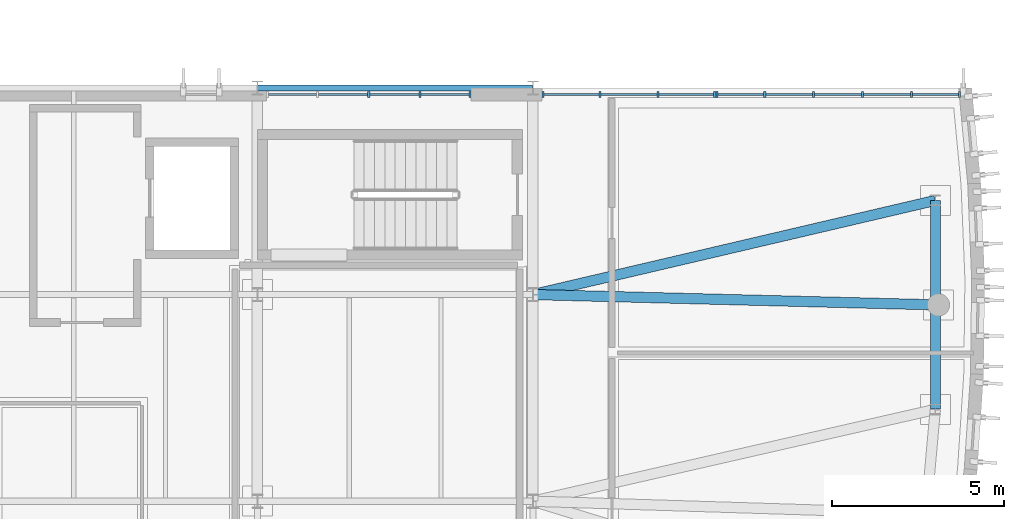
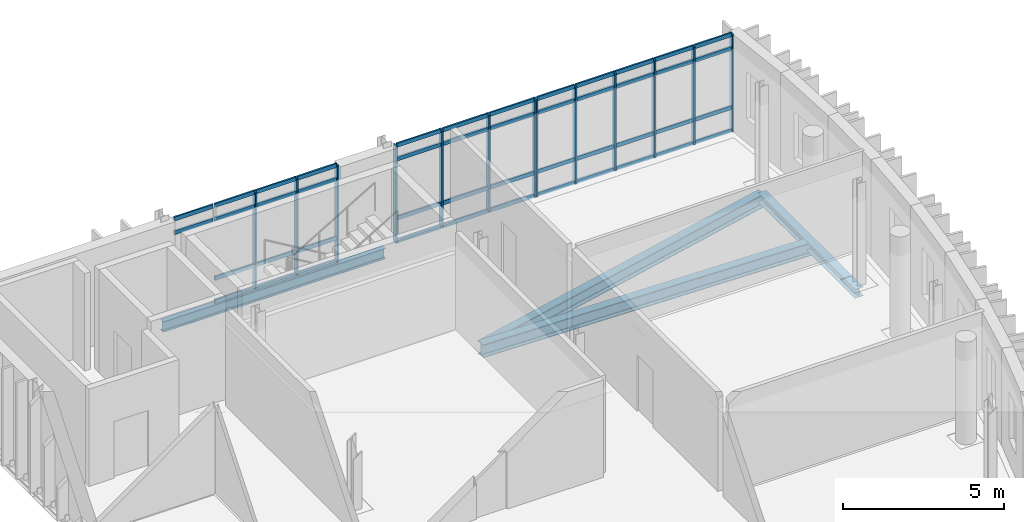
# One storey, part 4 of 14: 59 members, 4 beams, 3 elements without a shape of their own.
"""IFC4 building model written with IfcOpenShell, lengths in metres."""

from ifc_helpers import new_model, si_unit, direction, frame, origin, origin_2d, place, context, subcontext, project, spatial, rectangle, i_section, extrude, material, material_profile, profile_set, type_object, element, aggregate, save


model = new_model("IFC4")

# Units and contexts
model_context = context("Model", 3, precision=1e-05, world=origin(), true_north=direction((0.0, 1.0)))
body_context = subcontext(model_context, "Body", "Model", "MODEL_VIEW")
ifc_project = project(units=[si_unit("LENGTHUNIT", "METRE"), si_unit("AREAUNIT", "SQUARE_METRE"), si_unit("VOLUMEUNIT", "CUBIC_METRE"), si_unit("PLANEANGLEUNIT", "RADIAN"), si_unit("MASSUNIT", "GRAM", prefix="KILO")], contexts=[model_context])

# Site, building, storey
site_placement = place(None, origin())
site = spatial("IfcSite", under=ifc_project, at=site_placement, CompositionType="ELEMENT")
building_placement = place(site_placement, origin())
building = spatial("IfcBuilding", under=site, at=building_placement, Name="Cymarion Research Institute", CompositionType="ELEMENT")
storey_placement = place(building_placement, frame((0.0, 0.0, 34.5)))
storey = spatial("IfcBuildingStorey", under=building, at=storey_placement, Name="L08", CompositionType="ELEMENT", Elevation=34.5)

# Curtain wall, members
ifc_material_1 = material(Name="Anodised aluminium unitised curtain wall with Low-E glazing", Category="aluminium")
curtain_wall_type_1 = type_object("IfcCurtainWallType", Name="UNITISED CURTAIN WALL CW67 7100X3700", PredefinedType="NOTDEFINED", material=ifc_material_1)
curtain_wall_1_placement = place(storey_placement, origin())
curtain_wall_1 = element("IfcCurtainWall", 1, at=curtain_wall_1_placement, inside=storey, type_object=curtain_wall_type_1, Name="L08 V1 unitised curtain wall CW67 #245", PredefinedType="NOTDEFINED")
ifc_material_2 = material(Name="Anodised aluminium framing", Category="aluminium")
ifc_material_profile_1 = material_profile(ifc_material_2, rectangle(XDim=0.06005859375, YDim=0.179931640625, at=origin_2d()), Name="ALU MULLION 60x180")
ifc_profile_set_1 = profile_set([ifc_material_profile_1], Name="Anodised aluminium framing")
member_type_1 = type_object("IfcMemberType", Name="CURTAIN WALL MULLION ML01 60X180", PredefinedType="MULLION", material=ifc_profile_set_1)
member_1_placement = place(storey_placement, frame((166.98583984375, 29.31005859375, 0.0), z_axis=(0.0, 0.0, 1.0), x_axis=(-1.0, 0.0, 0.0)))
member_1 = element("IfcMember", 2, at=member_1_placement, type_object=member_type_1, Name="CW67 mullion 1", PredefinedType="MULLION", context=body_context, shape_type="SweptSolid", body=[
    extrude(rectangle(XDim=0.06005859375, YDim=0.179931640625, at=origin_2d()), origin(), (0.0, 0.0, 1.0), 3.699951171875),
])
member_2_placement = place(storey_placement, frame((165.59521484375, 29.31005859375, 0.0), z_axis=(0.0, 0.0, 1.0), x_axis=(-1.0, 0.0, 0.0)))
member_2 = element("IfcMember", 3, at=member_2_placement, type_object=member_type_1, Name="CW67 mullion 2", PredefinedType="MULLION", context=body_context, shape_type="SweptSolid", body=[
    extrude(rectangle(XDim=0.06005859375, YDim=0.179931640625, at=origin_2d()), origin(), (0.0, 0.0, 1.0), 3.699951171875),
])
member_3_placement = place(storey_placement, frame((164.17431640625, 29.31005859375, 0.0), z_axis=(0.0, 0.0, 1.0), x_axis=(-1.0, 0.0, 0.0)))
member_3 = element("IfcMember", 4, at=member_3_placement, type_object=member_type_1, Name="CW67 mullion 3", PredefinedType="MULLION", context=body_context, shape_type="SweptSolid", body=[
    extrude(rectangle(XDim=0.06005859375, YDim=0.179931640625, at=origin_2d()), origin(), (0.0, 0.0, 1.0), 3.699951171875),
])
member_4_placement = place(storey_placement, frame((162.75341796875, 29.31005859375, 0.0), z_axis=(0.0, 0.0, 1.0), x_axis=(-1.0, 0.0, 0.0)))
member_4 = element("IfcMember", 5, at=member_4_placement, type_object=member_type_1, Name="CW67 mullion 4", PredefinedType="MULLION", context=body_context, shape_type="SweptSolid", body=[
    extrude(rectangle(XDim=0.06005859375, YDim=0.179931640625, at=origin_2d()), origin(), (0.0, 0.0, 1.0), 3.699951171875),
])
member_5_placement = place(storey_placement, frame((161.332763671875, 29.31005859375, 0.0), z_axis=(0.0, 0.0, 1.0), x_axis=(-1.0, 0.0, 0.0)))
member_5 = element("IfcMember", 6, at=member_5_placement, type_object=member_type_1, Name="CW67 mullion 5", PredefinedType="MULLION", context=body_context, shape_type="SweptSolid", body=[
    extrude(rectangle(XDim=0.06005859375, YDim=0.179931640625, at=origin_2d()), origin(), (0.0, 0.0, 1.0), 3.699951171875),
])
member_6_placement = place(storey_placement, frame((159.94189453125, 29.31005859375, 0.0), z_axis=(0.0, 0.0, 1.0), x_axis=(-1.0, 0.0, 0.0)))
member_6 = element("IfcMember", 7, at=member_6_placement, type_object=member_type_1, Name="CW67 mullion 6", PredefinedType="MULLION", context=body_context, shape_type="SweptSolid", body=[
    extrude(rectangle(XDim=0.06005859375, YDim=0.179931640625, at=origin_2d()), origin(), (0.0, 0.0, 1.0), 3.699951171875),
])

curtain_wall_type_2 = type_object("IfcCurtainWallType", Name="UNITISED CURTAIN WALL CW68 5050X3700", PredefinedType="NOTDEFINED", material=ifc_material_1)
curtain_wall_2_placement = place(storey_placement, origin())
curtain_wall_2 = element("IfcCurtainWall", 8, at=curtain_wall_2_placement, inside=storey, type_object=curtain_wall_type_2, Name="L08 V1 unitised curtain wall CW68 #246", PredefinedType="NOTDEFINED")
member_7_placement = place(storey_placement, frame((159.8818359375, 29.31005859375, 0.0), z_axis=(0.0, 0.0, 1.0), x_axis=(-1.0, 0.0, 0.0)))
member_7 = element("IfcMember", 9, at=member_7_placement, type_object=member_type_1, Name="CW68 mullion 1", PredefinedType="MULLION", context=body_context, shape_type="SweptSolid", body=[
    extrude(rectangle(XDim=0.06005859375, YDim=0.179931640625, at=origin_2d()), origin(), (0.0, 0.0, 1.0), 3.699951171875),
])
member_8_placement = place(storey_placement, frame((158.22802734375, 29.31005859375, 0.0), z_axis=(0.0, 0.0, 1.0), x_axis=(-1.0, 0.0, 0.0)))
member_8 = element("IfcMember", 10, at=member_8_placement, type_object=member_type_1, Name="CW68 mullion 2", PredefinedType="MULLION", context=body_context, shape_type="SweptSolid", body=[
    extrude(rectangle(XDim=0.06005859375, YDim=0.179931640625, at=origin_2d()), origin(), (0.0, 0.0, 1.0), 3.699951171875),
])
member_9_placement = place(storey_placement, frame((156.5439453125, 29.31005859375, 0.0), z_axis=(0.0, 0.0, 1.0), x_axis=(-1.0, 0.0, 0.0)))
member_9 = element("IfcMember", 11, at=member_9_placement, type_object=member_type_1, Name="CW68 mullion 3", PredefinedType="MULLION", context=body_context, shape_type="SweptSolid", body=[
    extrude(rectangle(XDim=0.06005859375, YDim=0.179931640625, at=origin_2d()), origin(), (0.0, 0.0, 1.0), 3.699951171875),
])
member_10_placement = place(storey_placement, frame((154.889892578125, 29.31005859375, 0.0), z_axis=(0.0, 0.0, 1.0), x_axis=(-1.0, 0.0, 0.0)))
member_10 = element("IfcMember", 12, at=member_10_placement, type_object=member_type_1, Name="CW68 mullion 4", PredefinedType="MULLION", context=body_context, shape_type="SweptSolid", body=[
    extrude(rectangle(XDim=0.06005859375, YDim=0.179931640625, at=origin_2d()), origin(), (0.0, 0.0, 1.0), 3.699951171875),
])

curtain_wall_type_3 = type_object("IfcCurtainWallType", Name="UNITISED CURTAIN WALL CW69 5950X3700", PredefinedType="NOTDEFINED", material=ifc_material_1)
curtain_wall_3_placement = place(storey_placement, origin())
curtain_wall_3 = element("IfcCurtainWall", 13, at=curtain_wall_3_placement, inside=storey, type_object=curtain_wall_type_3, Name="L08 V1 unitised curtain wall CW69 #247", PredefinedType="NOTDEFINED")
member_11_placement = place(storey_placement, frame((152.77783203125, 29.31005859375, 0.0), z_axis=(0.0, 0.0, 1.0), x_axis=(-1.0, 0.0, 0.0)))
member_11 = element("IfcMember", 14, at=member_11_placement, type_object=member_type_1, Name="CW69 mullion 1", PredefinedType="MULLION", context=body_context, shape_type="SweptSolid", body=[
    extrude(rectangle(XDim=0.06005859375, YDim=0.179931640625, at=origin_2d()), origin(), (0.0, 0.0, 1.0), 3.699951171875),
])
member_12_placement = place(storey_placement, frame((151.321044921875, 29.31005859375, 0.0), z_axis=(0.0, 0.0, 1.0), x_axis=(-1.0, 0.0, 0.0)))
member_12 = element("IfcMember", 15, at=member_12_placement, type_object=member_type_1, Name="CW69 mullion 2", PredefinedType="MULLION", context=body_context, shape_type="SweptSolid", body=[
    extrude(rectangle(XDim=0.06005859375, YDim=0.179931640625, at=origin_2d()), origin(), (0.0, 0.0, 1.0), 3.699951171875),
])
member_13_placement = place(storey_placement, frame((149.833984375, 29.31005859375, 0.0), z_axis=(0.0, 0.0, 1.0), x_axis=(-1.0, 0.0, 0.0)))
member_13 = element("IfcMember", 16, at=member_13_placement, type_object=member_type_1, Name="CW69 mullion 3", PredefinedType="MULLION", context=body_context, shape_type="SweptSolid", body=[
    extrude(rectangle(XDim=0.06005859375, YDim=0.179931640625, at=origin_2d()), origin(), (0.0, 0.0, 1.0), 3.699951171875),
])

# Member
ifc_material_profile_2 = material_profile(ifc_material_2, rectangle(XDim=0.06005859375, YDim=0.14990234375, at=origin_2d()), Name="ALU TRANSOM 60x150")
ifc_profile_set_2 = profile_set([ifc_material_profile_2], Name="Anodised aluminium framing")
member_type_2 = type_object("IfcMemberType", Name="CURTAIN WALL TRANSOM TR01 60X150", PredefinedType="USERDEFINED", material=ifc_profile_set_2)
member_14_placement = place(storey_placement, frame((166.955810546875, 29.31005859375, 0.030029296875), z_axis=(-1.0, 0.0, 0.0), x_axis=(0.0, -1.0, 0.0)))
member_14 = element("IfcMember", 17, at=member_14_placement, type_object=member_type_2, Name="CW67 transom 1.1", ObjectType="TRANSOM", PredefinedType="USERDEFINED", context=body_context, shape_type="SweptSolid", body=[
    extrude(rectangle(XDim=0.06005859375, YDim=0.14990234375, at=origin_2d()), origin(), (0.0, 0.0, 1.0), 1.330810546875),
])

member_15_placement = place(storey_placement, frame((166.955810546875, 29.31005859375, 0.89990234375), z_axis=(-1.0, 0.0, 0.0), x_axis=(0.0, -1.0, 0.0)))
member_15 = element("IfcMember", 18, at=member_15_placement, type_object=member_type_2, Name="CW67 transom 1.2", ObjectType="TRANSOM", PredefinedType="USERDEFINED", context=body_context, shape_type="SweptSolid", body=[
    extrude(rectangle(XDim=0.06005859375, YDim=0.14990234375, at=origin_2d()), origin(), (0.0, 0.0, 1.0), 1.330810546875),
])

member_16_placement = place(storey_placement, frame((166.955810546875, 29.31005859375, 3.14990234375), z_axis=(-1.0, 0.0, 0.0), x_axis=(0.0, -1.0, 0.0)))
member_16 = element("IfcMember", 19, at=member_16_placement, type_object=member_type_2, Name="CW67 transom 1.3", ObjectType="TRANSOM", PredefinedType="USERDEFINED", context=body_context, shape_type="SweptSolid", body=[
    extrude(rectangle(XDim=0.06005859375, YDim=0.14990234375, at=origin_2d()), origin(), (0.0, 0.0, 1.0), 1.330810546875),
])

member_17_placement = place(storey_placement, frame((166.955810546875, 29.31005859375, 3.669921875), z_axis=(-1.0, 0.0, 0.0), x_axis=(0.0, -1.0, 0.0)))
member_17 = element("IfcMember", 20, at=member_17_placement, type_object=member_type_2, Name="CW67 transom 1.4", ObjectType="TRANSOM", PredefinedType="USERDEFINED", context=body_context, shape_type="SweptSolid", body=[
    extrude(rectangle(XDim=0.06005859375, YDim=0.14990234375, at=origin_2d()), origin(), (0.0, 0.0, 1.0), 1.330810546875),
])

member_18_placement = place(storey_placement, frame((165.565185546875, 29.31005859375, 0.030029296875), z_axis=(-1.0, 0.0, 0.0), x_axis=(0.0, -1.0, 0.0)))
member_18 = element("IfcMember", 21, at=member_18_placement, type_object=member_type_2, Name="CW67 transom 2.1", ObjectType="TRANSOM", PredefinedType="USERDEFINED", context=body_context, shape_type="SweptSolid", body=[
    extrude(rectangle(XDim=0.06005859375, YDim=0.14990234375, at=origin_2d()), origin(), (0.0, 0.0, 1.0), 1.36083984375),
])

member_19_placement = place(storey_placement, frame((165.565185546875, 29.31005859375, 0.89990234375), z_axis=(-1.0, 0.0, 0.0), x_axis=(0.0, -1.0, 0.0)))
member_19 = element("IfcMember", 22, at=member_19_placement, type_object=member_type_2, Name="CW67 transom 2.2", ObjectType="TRANSOM", PredefinedType="USERDEFINED", context=body_context, shape_type="SweptSolid", body=[
    extrude(rectangle(XDim=0.06005859375, YDim=0.14990234375, at=origin_2d()), origin(), (0.0, 0.0, 1.0), 1.36083984375),
])

member_20_placement = place(storey_placement, frame((165.565185546875, 29.31005859375, 3.14990234375), z_axis=(-1.0, 0.0, 0.0), x_axis=(0.0, -1.0, 0.0)))
member_20 = element("IfcMember", 23, at=member_20_placement, type_object=member_type_2, Name="CW67 transom 2.3", ObjectType="TRANSOM", PredefinedType="USERDEFINED", context=body_context, shape_type="SweptSolid", body=[
    extrude(rectangle(XDim=0.06005859375, YDim=0.14990234375, at=origin_2d()), origin(), (0.0, 0.0, 1.0), 1.36083984375),
])

member_21_placement = place(storey_placement, frame((165.565185546875, 29.31005859375, 3.669921875), z_axis=(-1.0, 0.0, 0.0), x_axis=(0.0, -1.0, 0.0)))
member_21 = element("IfcMember", 24, at=member_21_placement, type_object=member_type_2, Name="CW67 transom 2.4", ObjectType="TRANSOM", PredefinedType="USERDEFINED", context=body_context, shape_type="SweptSolid", body=[
    extrude(rectangle(XDim=0.06005859375, YDim=0.14990234375, at=origin_2d()), origin(), (0.0, 0.0, 1.0), 1.36083984375),
])

member_22_placement = place(storey_placement, frame((164.144287109375, 29.31005859375, 0.030029296875), z_axis=(-1.0, 0.0, 0.0), x_axis=(0.0, -1.0, 0.0)))
member_22 = element("IfcMember", 25, at=member_22_placement, type_object=member_type_2, Name="CW67 transom 3.1", ObjectType="TRANSOM", PredefinedType="USERDEFINED", context=body_context, shape_type="SweptSolid", body=[
    extrude(rectangle(XDim=0.06005859375, YDim=0.14990234375, at=origin_2d()), origin(), (0.0, 0.0, 1.0), 1.36083984375),
])

member_23_placement = place(storey_placement, frame((164.144287109375, 29.31005859375, 0.89990234375), z_axis=(-1.0, 0.0, 0.0), x_axis=(0.0, -1.0, 0.0)))
member_23 = element("IfcMember", 26, at=member_23_placement, type_object=member_type_2, Name="CW67 transom 3.2", ObjectType="TRANSOM", PredefinedType="USERDEFINED", context=body_context, shape_type="SweptSolid", body=[
    extrude(rectangle(XDim=0.06005859375, YDim=0.14990234375, at=origin_2d()), origin(), (0.0, 0.0, 1.0), 1.36083984375),
])

member_24_placement = place(storey_placement, frame((164.144287109375, 29.31005859375, 3.14990234375), z_axis=(-1.0, 0.0, 0.0), x_axis=(0.0, -1.0, 0.0)))
member_24 = element("IfcMember", 27, at=member_24_placement, type_object=member_type_2, Name="CW67 transom 3.3", ObjectType="TRANSOM", PredefinedType="USERDEFINED", context=body_context, shape_type="SweptSolid", body=[
    extrude(rectangle(XDim=0.06005859375, YDim=0.14990234375, at=origin_2d()), origin(), (0.0, 0.0, 1.0), 1.36083984375),
])

member_25_placement = place(storey_placement, frame((164.144287109375, 29.31005859375, 3.669921875), z_axis=(-1.0, 0.0, 0.0), x_axis=(0.0, -1.0, 0.0)))
member_25 = element("IfcMember", 28, at=member_25_placement, type_object=member_type_2, Name="CW67 transom 3.4", ObjectType="TRANSOM", PredefinedType="USERDEFINED", context=body_context, shape_type="SweptSolid", body=[
    extrude(rectangle(XDim=0.06005859375, YDim=0.14990234375, at=origin_2d()), origin(), (0.0, 0.0, 1.0), 1.36083984375),
])

member_26_placement = place(storey_placement, frame((162.723388671875, 29.31005859375, 0.030029296875), z_axis=(-1.0, 0.0, 0.0), x_axis=(0.0, -1.0, 0.0)))
member_26 = element("IfcMember", 29, at=member_26_placement, type_object=member_type_2, Name="CW67 transom 4.1", ObjectType="TRANSOM", PredefinedType="USERDEFINED", context=body_context, shape_type="SweptSolid", body=[
    extrude(rectangle(XDim=0.06005859375, YDim=0.14990234375, at=origin_2d()), origin(), (0.0, 0.0, 1.0), 1.360595703125),
])

member_27_placement = place(storey_placement, frame((162.723388671875, 29.31005859375, 0.89990234375), z_axis=(-1.0, 0.0, 0.0), x_axis=(0.0, -1.0, 0.0)))
member_27 = element("IfcMember", 30, at=member_27_placement, type_object=member_type_2, Name="CW67 transom 4.2", ObjectType="TRANSOM", PredefinedType="USERDEFINED", context=body_context, shape_type="SweptSolid", body=[
    extrude(rectangle(XDim=0.06005859375, YDim=0.14990234375, at=origin_2d()), origin(), (0.0, 0.0, 1.0), 1.360595703125),
])

member_28_placement = place(storey_placement, frame((162.723388671875, 29.31005859375, 3.14990234375), z_axis=(-1.0, 0.0, 0.0), x_axis=(0.0, -1.0, 0.0)))
member_28 = element("IfcMember", 31, at=member_28_placement, type_object=member_type_2, Name="CW67 transom 4.3", ObjectType="TRANSOM", PredefinedType="USERDEFINED", context=body_context, shape_type="SweptSolid", body=[
    extrude(rectangle(XDim=0.06005859375, YDim=0.14990234375, at=origin_2d()), origin(), (0.0, 0.0, 1.0), 1.360595703125),
])

member_29_placement = place(storey_placement, frame((162.723388671875, 29.31005859375, 3.669921875), z_axis=(-1.0, 0.0, 0.0), x_axis=(0.0, -1.0, 0.0)))
member_29 = element("IfcMember", 32, at=member_29_placement, type_object=member_type_2, Name="CW67 transom 4.4", ObjectType="TRANSOM", PredefinedType="USERDEFINED", context=body_context, shape_type="SweptSolid", body=[
    extrude(rectangle(XDim=0.06005859375, YDim=0.14990234375, at=origin_2d()), origin(), (0.0, 0.0, 1.0), 1.360595703125),
])

member_30_placement = place(storey_placement, frame((161.302734375, 29.31005859375, 0.030029296875), z_axis=(-1.0, 0.0, 0.0), x_axis=(0.0, -1.0, 0.0)))
member_30 = element("IfcMember", 33, at=member_30_placement, type_object=member_type_2, Name="CW67 transom 5.1", ObjectType="TRANSOM", PredefinedType="USERDEFINED", context=body_context, shape_type="SweptSolid", body=[
    extrude(rectangle(XDim=0.06005859375, YDim=0.14990234375, at=origin_2d()), origin(), (0.0, 0.0, 1.0), 1.330810546875),
])

member_31_placement = place(storey_placement, frame((161.302734375, 29.31005859375, 0.89990234375), z_axis=(-1.0, 0.0, 0.0), x_axis=(0.0, -1.0, 0.0)))
member_31 = element("IfcMember", 34, at=member_31_placement, type_object=member_type_2, Name="CW67 transom 5.2", ObjectType="TRANSOM", PredefinedType="USERDEFINED", context=body_context, shape_type="SweptSolid", body=[
    extrude(rectangle(XDim=0.06005859375, YDim=0.14990234375, at=origin_2d()), origin(), (0.0, 0.0, 1.0), 1.330810546875),
])

member_32_placement = place(storey_placement, frame((161.302734375, 29.31005859375, 3.14990234375), z_axis=(-1.0, 0.0, 0.0), x_axis=(0.0, -1.0, 0.0)))
member_32 = element("IfcMember", 35, at=member_32_placement, type_object=member_type_2, Name="CW67 transom 5.3", ObjectType="TRANSOM", PredefinedType="USERDEFINED", context=body_context, shape_type="SweptSolid", body=[
    extrude(rectangle(XDim=0.06005859375, YDim=0.14990234375, at=origin_2d()), origin(), (0.0, 0.0, 1.0), 1.330810546875),
])

member_33_placement = place(storey_placement, frame((161.302734375, 29.31005859375, 3.669921875), z_axis=(-1.0, 0.0, 0.0), x_axis=(0.0, -1.0, 0.0)))
member_33 = element("IfcMember", 36, at=member_33_placement, type_object=member_type_2, Name="CW67 transom 5.4", ObjectType="TRANSOM", PredefinedType="USERDEFINED", context=body_context, shape_type="SweptSolid", body=[
    extrude(rectangle(XDim=0.06005859375, YDim=0.14990234375, at=origin_2d()), origin(), (0.0, 0.0, 1.0), 1.330810546875),
])

aggregate(curtain_wall_1, [member_1, member_2, member_3, member_4, member_5, member_6, member_14, member_15, member_16, member_17, member_18, member_19, member_20, member_21, member_22, member_23, member_24, member_25, member_26, member_27, member_28, member_29, member_30, member_31, member_32, member_33])

member_34_placement = place(storey_placement, frame((159.851806640625, 29.31005859375, 0.030029296875), z_axis=(-1.0, 0.0, 0.0), x_axis=(0.0, -1.0, 0.0)))
member_34 = element("IfcMember", 37, at=member_34_placement, type_object=member_type_2, Name="CW68 transom 1.1", ObjectType="TRANSOM", PredefinedType="USERDEFINED", context=body_context, shape_type="SweptSolid", body=[
    extrude(rectangle(XDim=0.06005859375, YDim=0.14990234375, at=origin_2d()), origin(), (0.0, 0.0, 1.0), 1.593994140625),
])

member_35_placement = place(storey_placement, frame((159.851806640625, 29.31005859375, 0.89990234375), z_axis=(-1.0, 0.0, 0.0), x_axis=(0.0, -1.0, 0.0)))
member_35 = element("IfcMember", 38, at=member_35_placement, type_object=member_type_2, Name="CW68 transom 1.2", ObjectType="TRANSOM", PredefinedType="USERDEFINED", context=body_context, shape_type="SweptSolid", body=[
    extrude(rectangle(XDim=0.06005859375, YDim=0.14990234375, at=origin_2d()), origin(), (0.0, 0.0, 1.0), 1.593994140625),
])

member_36_placement = place(storey_placement, frame((159.851806640625, 29.31005859375, 3.14990234375), z_axis=(-1.0, 0.0, 0.0), x_axis=(0.0, -1.0, 0.0)))
member_36 = element("IfcMember", 39, at=member_36_placement, type_object=member_type_2, Name="CW68 transom 1.3", ObjectType="TRANSOM", PredefinedType="USERDEFINED", context=body_context, shape_type="SweptSolid", body=[
    extrude(rectangle(XDim=0.06005859375, YDim=0.14990234375, at=origin_2d()), origin(), (0.0, 0.0, 1.0), 1.593994140625),
])

member_37_placement = place(storey_placement, frame((159.851806640625, 29.31005859375, 3.669921875), z_axis=(-1.0, 0.0, 0.0), x_axis=(0.0, -1.0, 0.0)))
member_37 = element("IfcMember", 40, at=member_37_placement, type_object=member_type_2, Name="CW68 transom 1.4", ObjectType="TRANSOM", PredefinedType="USERDEFINED", context=body_context, shape_type="SweptSolid", body=[
    extrude(rectangle(XDim=0.06005859375, YDim=0.14990234375, at=origin_2d()), origin(), (0.0, 0.0, 1.0), 1.593994140625),
])

member_38_placement = place(storey_placement, frame((158.197998046875, 29.31005859375, 0.030029296875), z_axis=(-1.0, 0.0, 0.0), x_axis=(0.0, -1.0, 0.0)))
member_38 = element("IfcMember", 41, at=member_38_placement, type_object=member_type_2, Name="CW68 transom 2.1", ObjectType="TRANSOM", PredefinedType="USERDEFINED", context=body_context, shape_type="SweptSolid", body=[
    extrude(rectangle(XDim=0.06005859375, YDim=0.14990234375, at=origin_2d()), origin(), (0.0, 0.0, 1.0), 1.6240234375),
])

member_39_placement = place(storey_placement, frame((158.197998046875, 29.31005859375, 0.89990234375), z_axis=(-1.0, 0.0, 0.0), x_axis=(0.0, -1.0, 0.0)))
member_39 = element("IfcMember", 42, at=member_39_placement, type_object=member_type_2, Name="CW68 transom 2.2", ObjectType="TRANSOM", PredefinedType="USERDEFINED", context=body_context, shape_type="SweptSolid", body=[
    extrude(rectangle(XDim=0.06005859375, YDim=0.14990234375, at=origin_2d()), origin(), (0.0, 0.0, 1.0), 1.6240234375),
])

member_40_placement = place(storey_placement, frame((158.197998046875, 29.31005859375, 3.14990234375), z_axis=(-1.0, 0.0, 0.0), x_axis=(0.0, -1.0, 0.0)))
member_40 = element("IfcMember", 43, at=member_40_placement, type_object=member_type_2, Name="CW68 transom 2.3", ObjectType="TRANSOM", PredefinedType="USERDEFINED", context=body_context, shape_type="SweptSolid", body=[
    extrude(rectangle(XDim=0.06005859375, YDim=0.14990234375, at=origin_2d()), origin(), (0.0, 0.0, 1.0), 1.6240234375),
])

member_41_placement = place(storey_placement, frame((158.197998046875, 29.31005859375, 3.669921875), z_axis=(-1.0, 0.0, 0.0), x_axis=(0.0, -1.0, 0.0)))
member_41 = element("IfcMember", 44, at=member_41_placement, type_object=member_type_2, Name="CW68 transom 2.4", ObjectType="TRANSOM", PredefinedType="USERDEFINED", context=body_context, shape_type="SweptSolid", body=[
    extrude(rectangle(XDim=0.06005859375, YDim=0.14990234375, at=origin_2d()), origin(), (0.0, 0.0, 1.0), 1.6240234375),
])

member_42_placement = place(storey_placement, frame((156.513916015625, 29.31005859375, 0.030029296875), z_axis=(-1.0, 0.0, 0.0), x_axis=(0.0, -1.0, 0.0)))
member_42 = element("IfcMember", 45, at=member_42_placement, type_object=member_type_2, Name="CW68 transom 3.1", ObjectType="TRANSOM", PredefinedType="USERDEFINED", context=body_context, shape_type="SweptSolid", body=[
    extrude(rectangle(XDim=0.06005859375, YDim=0.14990234375, at=origin_2d()), origin(), (0.0, 0.0, 1.0), 1.593994140625),
])

member_43_placement = place(storey_placement, frame((156.513916015625, 29.31005859375, 0.89990234375), z_axis=(-1.0, 0.0, 0.0), x_axis=(0.0, -1.0, 0.0)))
member_43 = element("IfcMember", 46, at=member_43_placement, type_object=member_type_2, Name="CW68 transom 3.2", ObjectType="TRANSOM", PredefinedType="USERDEFINED", context=body_context, shape_type="SweptSolid", body=[
    extrude(rectangle(XDim=0.06005859375, YDim=0.14990234375, at=origin_2d()), origin(), (0.0, 0.0, 1.0), 1.593994140625),
])

member_44_placement = place(storey_placement, frame((156.513916015625, 29.31005859375, 3.14990234375), z_axis=(-1.0, 0.0, 0.0), x_axis=(0.0, -1.0, 0.0)))
member_44 = element("IfcMember", 47, at=member_44_placement, type_object=member_type_2, Name="CW68 transom 3.3", ObjectType="TRANSOM", PredefinedType="USERDEFINED", context=body_context, shape_type="SweptSolid", body=[
    extrude(rectangle(XDim=0.06005859375, YDim=0.14990234375, at=origin_2d()), origin(), (0.0, 0.0, 1.0), 1.593994140625),
])

member_45_placement = place(storey_placement, frame((156.513916015625, 29.31005859375, 3.669921875), z_axis=(-1.0, 0.0, 0.0), x_axis=(0.0, -1.0, 0.0)))
member_45 = element("IfcMember", 48, at=member_45_placement, type_object=member_type_2, Name="CW68 transom 3.4", ObjectType="TRANSOM", PredefinedType="USERDEFINED", context=body_context, shape_type="SweptSolid", body=[
    extrude(rectangle(XDim=0.06005859375, YDim=0.14990234375, at=origin_2d()), origin(), (0.0, 0.0, 1.0), 1.593994140625),
])

aggregate(curtain_wall_2, [member_7, member_8, member_9, member_10, member_34, member_35, member_36, member_37, member_38, member_39, member_40, member_41, member_42, member_43, member_44, member_45])

member_46_placement = place(storey_placement, frame((152.747802734375, 29.31005859375, 0.030029296875), z_axis=(-1.0, 0.0, 0.0), x_axis=(0.0, -1.0, 0.0)))
member_46 = element("IfcMember", 49, at=member_46_placement, type_object=member_type_2, Name="CW69 transom 1.1", ObjectType="TRANSOM", PredefinedType="USERDEFINED", context=body_context, shape_type="SweptSolid", body=[
    extrude(rectangle(XDim=0.06005859375, YDim=0.14990234375, at=origin_2d()), origin(), (0.0, 0.0, 1.0), 1.39697265625),
])

member_47_placement = place(storey_placement, frame((152.747802734375, 29.31005859375, 0.89990234375), z_axis=(-1.0, 0.0, 0.0), x_axis=(0.0, -1.0, 0.0)))
member_47 = element("IfcMember", 50, at=member_47_placement, type_object=member_type_2, Name="CW69 transom 1.2", ObjectType="TRANSOM", PredefinedType="USERDEFINED", context=body_context, shape_type="SweptSolid", body=[
    extrude(rectangle(XDim=0.06005859375, YDim=0.14990234375, at=origin_2d()), origin(), (0.0, 0.0, 1.0), 1.39697265625),
])

member_48_placement = place(storey_placement, frame((152.747802734375, 29.31005859375, 3.14990234375), z_axis=(-1.0, 0.0, 0.0), x_axis=(0.0, -1.0, 0.0)))
member_48 = element("IfcMember", 51, at=member_48_placement, type_object=member_type_2, Name="CW69 transom 1.3", ObjectType="TRANSOM", PredefinedType="USERDEFINED", context=body_context, shape_type="SweptSolid", body=[
    extrude(rectangle(XDim=0.06005859375, YDim=0.14990234375, at=origin_2d()), origin(), (0.0, 0.0, 1.0), 1.39697265625),
])

member_49_placement = place(storey_placement, frame((152.747802734375, 29.31005859375, 3.669921875), z_axis=(-1.0, 0.0, 0.0), x_axis=(0.0, -1.0, 0.0)))
member_49 = element("IfcMember", 52, at=member_49_placement, type_object=member_type_2, Name="CW69 transom 1.4", ObjectType="TRANSOM", PredefinedType="USERDEFINED", context=body_context, shape_type="SweptSolid", body=[
    extrude(rectangle(XDim=0.06005859375, YDim=0.14990234375, at=origin_2d()), origin(), (0.0, 0.0, 1.0), 1.39697265625),
])

member_50_placement = place(storey_placement, frame((151.291015625, 29.31005859375, 0.030029296875), z_axis=(-1.0, 0.0, 0.0), x_axis=(0.0, -1.0, 0.0)))
member_50 = element("IfcMember", 53, at=member_50_placement, type_object=member_type_2, Name="CW69 transom 2.1", ObjectType="TRANSOM", PredefinedType="USERDEFINED", context=body_context, shape_type="SweptSolid", body=[
    extrude(rectangle(XDim=0.06005859375, YDim=0.14990234375, at=origin_2d()), origin(), (0.0, 0.0, 1.0), 1.427001953125),
])

member_51_placement = place(storey_placement, frame((151.291015625, 29.31005859375, 0.89990234375), z_axis=(-1.0, 0.0, 0.0), x_axis=(0.0, -1.0, 0.0)))
member_51 = element("IfcMember", 54, at=member_51_placement, type_object=member_type_2, Name="CW69 transom 2.2", ObjectType="TRANSOM", PredefinedType="USERDEFINED", context=body_context, shape_type="SweptSolid", body=[
    extrude(rectangle(XDim=0.06005859375, YDim=0.14990234375, at=origin_2d()), origin(), (0.0, 0.0, 1.0), 1.427001953125),
])

member_52_placement = place(storey_placement, frame((151.291015625, 29.31005859375, 3.14990234375), z_axis=(-1.0, 0.0, 0.0), x_axis=(0.0, -1.0, 0.0)))
member_52 = element("IfcMember", 55, at=member_52_placement, type_object=member_type_2, Name="CW69 transom 2.3", ObjectType="TRANSOM", PredefinedType="USERDEFINED", context=body_context, shape_type="SweptSolid", body=[
    extrude(rectangle(XDim=0.06005859375, YDim=0.14990234375, at=origin_2d()), origin(), (0.0, 0.0, 1.0), 1.427001953125),
])

member_53_placement = place(storey_placement, frame((151.291015625, 29.31005859375, 3.669921875), z_axis=(-1.0, 0.0, 0.0), x_axis=(0.0, -1.0, 0.0)))
member_53 = element("IfcMember", 56, at=member_53_placement, type_object=member_type_2, Name="CW69 transom 2.4", ObjectType="TRANSOM", PredefinedType="USERDEFINED", context=body_context, shape_type="SweptSolid", body=[
    extrude(rectangle(XDim=0.06005859375, YDim=0.14990234375, at=origin_2d()), origin(), (0.0, 0.0, 1.0), 1.427001953125),
])

member_54_placement = place(storey_placement, frame((149.803955078125, 29.31005859375, 0.030029296875), z_axis=(-1.0, 0.0, 0.0), x_axis=(0.0, -1.0, 0.0)))
member_54 = element("IfcMember", 57, at=member_54_placement, type_object=member_type_2, Name="CW69 transom 3.1", ObjectType="TRANSOM", PredefinedType="USERDEFINED", context=body_context, shape_type="SweptSolid", body=[
    extrude(rectangle(XDim=0.06005859375, YDim=0.14990234375, at=origin_2d()), origin(), (0.0, 0.0, 1.0), 1.427001953125),
])

member_55_placement = place(storey_placement, frame((149.803955078125, 29.31005859375, 0.89990234375), z_axis=(-1.0, 0.0, 0.0), x_axis=(0.0, -1.0, 0.0)))
member_55 = element("IfcMember", 58, at=member_55_placement, type_object=member_type_2, Name="CW69 transom 3.2", ObjectType="TRANSOM", PredefinedType="USERDEFINED", context=body_context, shape_type="SweptSolid", body=[
    extrude(rectangle(XDim=0.06005859375, YDim=0.14990234375, at=origin_2d()), origin(), (0.0, 0.0, 1.0), 1.427001953125),
])

member_56_placement = place(storey_placement, frame((149.803955078125, 29.31005859375, 3.14990234375), z_axis=(-1.0, 0.0, 0.0), x_axis=(0.0, -1.0, 0.0)))
member_56 = element("IfcMember", 59, at=member_56_placement, type_object=member_type_2, Name="CW69 transom 3.3", ObjectType="TRANSOM", PredefinedType="USERDEFINED", context=body_context, shape_type="SweptSolid", body=[
    extrude(rectangle(XDim=0.06005859375, YDim=0.14990234375, at=origin_2d()), origin(), (0.0, 0.0, 1.0), 1.427001953125),
])

member_57_placement = place(storey_placement, frame((149.803955078125, 29.31005859375, 3.669921875), z_axis=(-1.0, 0.0, 0.0), x_axis=(0.0, -1.0, 0.0)))
member_57 = element("IfcMember", 60, at=member_57_placement, type_object=member_type_2, Name="CW69 transom 3.4", ObjectType="TRANSOM", PredefinedType="USERDEFINED", context=body_context, shape_type="SweptSolid", body=[
    extrude(rectangle(XDim=0.06005859375, YDim=0.14990234375, at=origin_2d()), origin(), (0.0, 0.0, 1.0), 1.427001953125),
])

member_58_placement = place(storey_placement, frame((148.31689453125, 29.31005859375, 3.14990234375), z_axis=(-1.0, 0.0, 0.0), x_axis=(0.0, -1.0, 0.0)))
member_58 = element("IfcMember", 61, at=member_58_placement, type_object=member_type_2, Name="CW69 transom 4.3", ObjectType="TRANSOM", PredefinedType="USERDEFINED", context=body_context, shape_type="SweptSolid", body=[
    extrude(rectangle(XDim=0.06005859375, YDim=0.14990234375, at=origin_2d()), origin(), (0.0, 0.0, 1.0), 1.39697265625),
])

member_59_placement = place(storey_placement, frame((148.31689453125, 29.31005859375, 3.669921875), z_axis=(-1.0, 0.0, 0.0), x_axis=(0.0, -1.0, 0.0)))
member_59 = element("IfcMember", 62, at=member_59_placement, type_object=member_type_2, Name="CW69 transom 4.4", ObjectType="TRANSOM", PredefinedType="USERDEFINED", context=body_context, shape_type="SweptSolid", body=[
    extrude(rectangle(XDim=0.06005859375, YDim=0.14990234375, at=origin_2d()), origin(), (0.0, 0.0, 1.0), 1.39697265625),
])

aggregate(curtain_wall_3, [member_11, member_12, member_13, member_46, member_47, member_48, member_49, member_50, member_51, member_52, member_53, member_54, member_55, member_56, member_57, member_58, member_59])

# Beams
ifc_material_3 = material(Name="Steel S355", Category="steel")
ifc_material_profile_3 = material_profile(ifc_material_3, i_section(OverallWidth=0.179931640625, OverallDepth=0.39990234375, WebThickness=0.008544921875, FlangeThickness=0.013427734375, FilletRadius=0.02099609375, at=origin_2d()), Name="IPE 400")
ifc_profile_set_3 = profile_set([ifc_material_profile_3], Name="Steel S355")
beam_type_1 = type_object("IfcBeamType", Name="PRIMARY GIRDER BM05 IPE 400", PredefinedType="BEAM", material=ifc_profile_set_3)
beam_1_placement = place(storey_placement, frame((146.60595703125, 29.5, -0.39990234375), z_axis=(1.0, 0.0, 0.0), x_axis=(0.0, 1.0, 0.0)))
element("IfcBeam", 63, at=beam_1_placement, inside=storey, type_object=beam_type_1, Name="L08 V1 girder BM05 #2321", PredefinedType="BEAM", context=body_context, shape_type="SweptSolid", body=[
    extrude(i_section(OverallWidth=0.179931640625, OverallDepth=0.39990234375, WebThickness=0.008544921875, FlangeThickness=0.013427734375, FilletRadius=0.02099609375, at=origin_2d()), origin(), (0.0, 0.0, 1.0), 7.988037109375),
])
ifc_material_profile_4 = material_profile(ifc_material_3, i_section(OverallWidth=0.300048828125, OverallDepth=0.5, WebThickness=0.014404296875, FlangeThickness=0.028076171875, FilletRadius=0.027099609375, at=origin_2d()), Name="HEB 500")
ifc_profile_set_4 = profile_set([ifc_material_profile_4], Name="Steel S355")
beam_type_2 = type_object("IfcBeamType", Name="PRIMARY GIRDER BM09 HEB 500", PredefinedType="BEAM", material=ifc_profile_set_4)
beam_2_placement = place(storey_placement, frame((154.60791015625, 23.499755859375, -0.449951171875), z_axis=(0.999675752574, -0.025463497715, 0.0), x_axis=(0.025463497715, 0.999675752574, 0.0)))
element("IfcBeam", 64, at=beam_2_placement, inside=storey, type_object=beam_type_2, Name="L08 V1 radial prow girder BM09 #2341", PredefinedType="BEAM", context=body_context, shape_type="SweptSolid", body=[
    extrude(i_section(OverallWidth=0.300048828125, OverallDepth=0.5, WebThickness=0.014404296875, FlangeThickness=0.028076171875, FilletRadius=0.027099609375, at=origin_2d()), origin(), (0.0, 0.0, 1.0), 11.764404296875),
])
beam_3_placement = place(storey_placement, frame((154.60791015625, 23.501708984375, -0.449951171875), z_axis=(0.973701737176, 0.22782652835, 0.0), x_axis=(-0.22782652835, 0.973701737176, 0.0)))
element("IfcBeam", 65, at=beam_3_placement, inside=storey, type_object=beam_type_2, Name="L08 V1 radial prow girder BM09 #2342", PredefinedType="BEAM", context=body_context, shape_type="SweptSolid", body=[
    extrude(i_section(OverallWidth=0.300048828125, OverallDepth=0.5, WebThickness=0.014404296875, FlangeThickness=0.028076171875, FilletRadius=0.027099609375, at=origin_2d()), origin(), (0.0, 0.0, 1.0), 11.98486328125),
])
ifc_material_profile_5 = material_profile(ifc_material_3, i_section(OverallWidth=0.300048828125, OverallDepth=0.35009765625, WebThickness=0.010009765625, FlangeThickness=0.017578125, FilletRadius=0.027099609375, at=origin_2d()), Name="HEA 360")
ifc_profile_set_5 = profile_set([ifc_material_profile_5], Name="Steel S355")
beam_type_3 = type_object("IfcBeamType", Name="PRIMARY GIRDER BM12 HEA 360", PredefinedType="BEAM", material=ifc_profile_set_5)
beam_4_placement = place(storey_placement, frame((166.2900390625, 20.172119140625, -0.375), z_axis=(0.0, 1.0, 0.0), x_axis=(-1.0, 0.0, 0.0)))
element("IfcBeam", 66, at=beam_4_placement, inside=storey, type_object=beam_type_3, Name="L08 V1 girder BM12 #2332", PredefinedType="BEAM", context=body_context, shape_type="SweptSolid", body=[
    extrude(i_section(OverallWidth=0.300048828125, OverallDepth=0.35009765625, WebThickness=0.010009765625, FlangeThickness=0.017578125, FilletRadius=0.027099609375, at=origin_2d()), origin(), (0.0, 0.0, 1.0), 6.055908203125),
])

save(model, "model.ifc")
